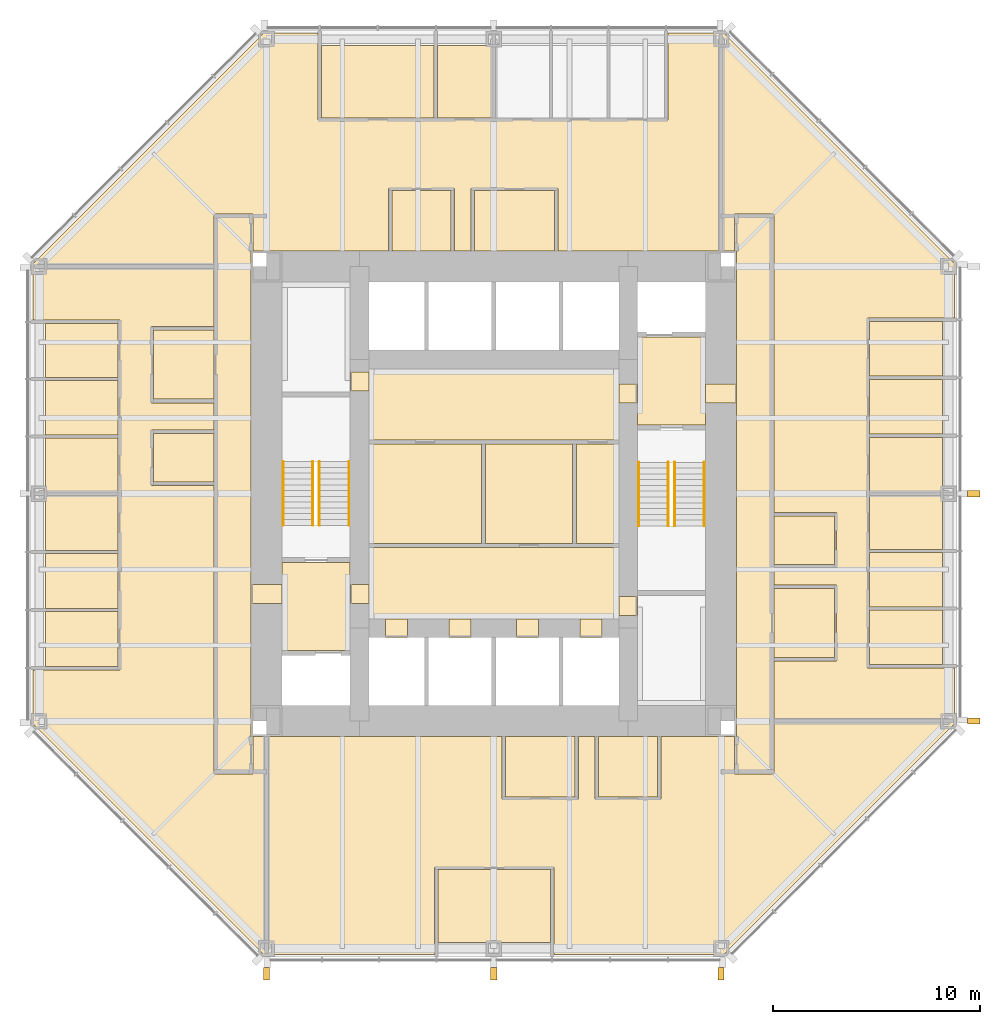
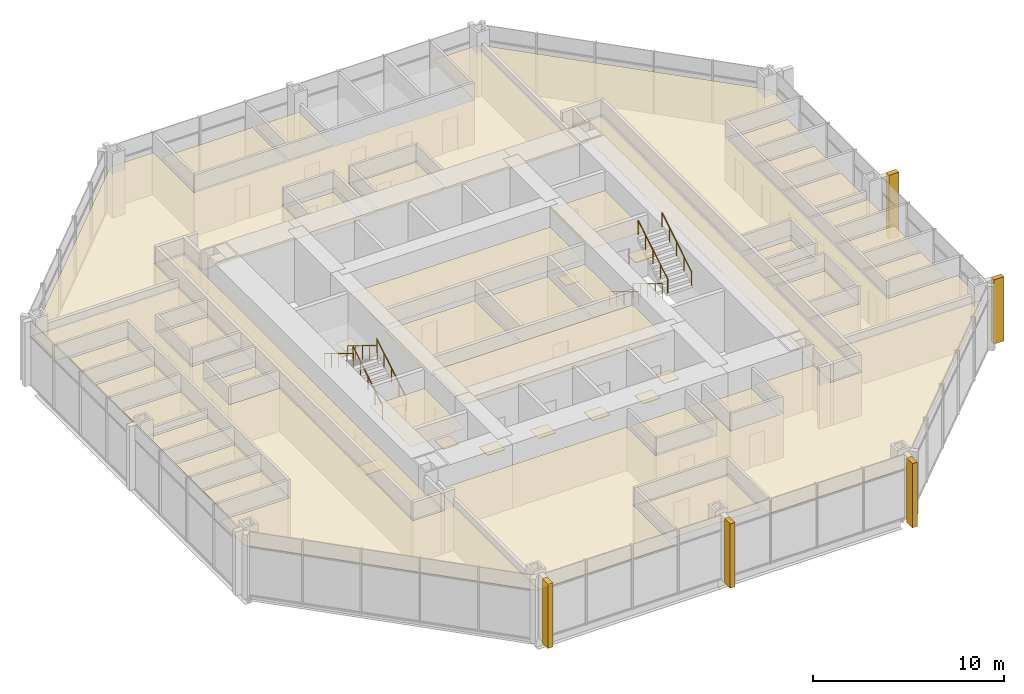
# One storey, part 13 of 14: 51 coverings, 8 railings.
"""IFC4 building model written with IfcOpenShell, lengths in metres."""

from ifc_helpers import new_model, si_unit, direction, frame, origin, origin_2d, place, context, subcontext, project, spatial, polyline, rectangle, circle, outline, extrude, material, layer, layer_set, type_object, element, save


model = new_model("IFC4")

# Units and contexts
model_context = context("Model", 3, precision=1e-05, world=origin(), true_north=direction((0.0, 1.0)))
body_context = subcontext(model_context, "Body", "Model", "MODEL_VIEW")
ifc_project = project(units=[si_unit("LENGTHUNIT", "METRE"), si_unit("AREAUNIT", "SQUARE_METRE"), si_unit("VOLUMEUNIT", "CUBIC_METRE"), si_unit("PLANEANGLEUNIT", "RADIAN"), si_unit("MASSUNIT", "GRAM", prefix="KILO")], contexts=[model_context])

# Site, building, storey
site_placement = place(None, origin())
site = spatial("IfcSite", under=ifc_project, at=site_placement, CompositionType="ELEMENT")
building_placement = place(site_placement, origin())
building = spatial("IfcBuilding", under=site, at=building_placement, Name="Trevanion Tower", CompositionType="ELEMENT")
storey_placement = place(building_placement, frame((0.0, 0.0, 100.800048828125)))
storey = spatial("IfcBuildingStorey", under=building, at=storey_placement, Name="L23", CompositionType="ELEMENT", Elevation=100.800048828125)

# Coverings
ifc_material_1 = material(Name="Fibrous plaster coffers on suspended steel grid", Category="steel")
ifc_layer_1 = layer(ifc_material_1, 0.050048828125)
ifc_layer_set_1 = layer_set([ifc_layer_1], Name="CL1 coffered fibrous plaster ceiling 50")
covering_type_1 = type_object("IfcCoveringType", Name="CL1 coffered fibrous plaster ceiling 50", PredefinedType="CEILING", material=ifc_layer_set_1)
covering_1_placement = place(storey_placement, frame((0.0, 0.0, 3.0)))
element("IfcCovering", 1, at=covering_1_placement, inside=storey, type_object=covering_type_1, Name="CL1 L23-LBS", PredefinedType="CEILING", context=body_context, shape_type="SweptSolid", body=[
    extrude(outline(polyline([(6.050048828125, -6.050048828125), (6.050048828125, -2.60009765625), (-6.050048828125, -2.60009765625), (-6.050048828125, -6.050048828125), (6.050048828125, -6.050048828125)])), origin(), (0.0, 0.0, 1.0), 0.050048828125),
])
ifc_material_2 = material(Name="Mineral fibre acoustic tiles in exposed grid", Category="mineral fibre")
ifc_layer_2 = layer(ifc_material_2, 0.02001953125)
ifc_layer_set_2 = layer_set([ifc_layer_2], Name="CL2 acoustic tile ceiling 20")
covering_type_2 = type_object("IfcCoveringType", Name="CL2 acoustic tile ceiling 20", PredefinedType="CEILING", material=ifc_layer_set_2)
covering_2_placement = place(storey_placement, frame((0.0, 0.0, 2.75)))
element("IfcCovering", 2, at=covering_2_placement, inside=storey, type_object=covering_type_2, Name="CL2 L23-LBN", PredefinedType="CEILING", context=body_context, shape_type="SweptSolid", body=[
    extrude(outline(polyline([(6.050048828125, 2.60009765625), (6.050048828125, 6.050048828125), (-6.050048828125, 6.050048828125), (-6.050048828125, 2.60009765625), (6.050048828125, 2.60009765625)])), origin(), (0.0, 0.0, 1.0), 0.02001953125),
])
covering_3_placement = place(storey_placement, frame((0.0, 0.0, 2.75)))
element("IfcCovering", 3, at=covering_3_placement, inside=storey, type_object=covering_type_2, Name="CL2 L23-CO1", PredefinedType="CEILING", context=body_context, shape_type="SweptSolid", body=[
    extrude(outline(polyline([(-11.75, 13.449951171875), (-11.75, -13.449951171875), (-13.449951171875, -13.449951171875), (-13.449951171875, 13.449951171875), (-11.75, 13.449951171875)])), origin(), (0.0, 0.0, 1.0), 0.02001953125),
])
covering_4_placement = place(storey_placement, frame((0.0, 0.0, 2.75)))
element("IfcCovering", 4, at=covering_4_placement, inside=storey, type_object=covering_type_2, Name="CL2 L23-CO2", PredefinedType="CEILING", context=body_context, shape_type="SweptSolid", body=[
    extrude(outline(polyline([(11.75, 13.449951171875), (13.449951171875, 13.449951171875), (13.449951171875, -13.449951171875), (11.75, -13.449951171875), (11.75, 13.449951171875)])), origin(), (0.0, 0.0, 1.0), 0.02001953125),
])
covering_5_placement = place(storey_placement, frame((0.0, 0.0, 2.75)))
element("IfcCovering", 5, at=covering_5_placement, inside=storey, type_object=covering_type_2, Name="CL2 L23-OF", PredefinedType="CEILING", context=body_context, shape_type="SweptSolid", body=[
    extrude(outline(polyline([(18.175048828125, -8.248046875), (18.175048828125, -5.6240234375), (21.699951171875, -5.6240234375), (21.699951171875, -8.248046875), (18.175048828125, -8.248046875)])), origin(), (0.0, 0.0, 1.0), 0.02001953125),
])
covering_6_placement = place(storey_placement, frame((0.0, 0.0, 2.75)))
element("IfcCovering", 6, at=covering_6_placement, inside=storey, type_object=covering_type_2, Name="CL2 L23-OF2", PredefinedType="CEILING", context=body_context, shape_type="SweptSolid", body=[
    extrude(outline(polyline([(18.175048828125, -5.47412109375), (18.175048828125, -2.85009765625), (21.699951171875, -2.85009765625), (21.699951171875, -5.47412109375), (18.175048828125, -5.47412109375)])), origin(), (0.0, 0.0, 1.0), 0.02001953125),
])
covering_7_placement = place(storey_placement, frame((0.0, 0.0, 2.75)))
element("IfcCovering", 7, at=covering_7_placement, inside=storey, type_object=covering_type_2, Name="CL2 L23-OF3", PredefinedType="CEILING", context=body_context, shape_type="SweptSolid", body=[
    extrude(outline(polyline([(18.175048828125, -2.699951171875), (18.175048828125, -0.074951171875), (21.699951171875, -0.074951171875), (21.699951171875, -2.699951171875), (18.175048828125, -2.699951171875)])), origin(), (0.0, 0.0, 1.0), 0.02001953125),
])
covering_8_placement = place(storey_placement, frame((0.0, 0.0, 2.75)))
element("IfcCovering", 8, at=covering_8_placement, inside=storey, type_object=covering_type_2, Name="CL2 L23-OF4", PredefinedType="CEILING", context=body_context, shape_type="SweptSolid", body=[
    extrude(outline(polyline([(18.175048828125, 0.074951171875), (18.175048828125, 2.73193359375), (21.699951171875, 2.73193359375), (21.699951171875, 0.074951171875), (18.175048828125, 0.074951171875)])), origin(), (0.0, 0.0, 1.0), 0.02001953125),
])
covering_9_placement = place(storey_placement, frame((0.0, 0.0, 2.75)))
element("IfcCovering", 9, at=covering_9_placement, inside=storey, type_object=covering_type_2, Name="CL2 L23-OF5", PredefinedType="CEILING", context=body_context, shape_type="SweptSolid", body=[
    extrude(outline(polyline([(18.175048828125, 2.882080078125), (18.175048828125, 5.5390625), (21.699951171875, 5.5390625), (21.699951171875, 2.882080078125), (18.175048828125, 2.882080078125)])), origin(), (0.0, 0.0, 1.0), 0.02001953125),
])
covering_10_placement = place(storey_placement, frame((0.0, 0.0, 2.75)))
element("IfcCovering", 10, at=covering_10_placement, inside=storey, type_object=covering_type_2, Name="CL2 L23-OF6", PredefinedType="CEILING", context=body_context, shape_type="SweptSolid", body=[
    extrude(outline(polyline([(18.175048828125, 5.68896484375), (18.175048828125, 8.345947265625), (21.699951171875, 8.345947265625), (21.699951171875, 5.68896484375), (18.175048828125, 5.68896484375)])), origin(), (0.0, 0.0, 1.0), 0.02001953125),
])
covering_11_placement = place(storey_placement, frame((0.0, 0.0, 2.75)))
element("IfcCovering", 11, at=covering_11_placement, inside=storey, type_object=covering_type_2, Name="CL2 L23-OF10", PredefinedType="CEILING", context=body_context, shape_type="SweptSolid", body=[
    extrude(outline(polyline([(-0.074951171875, 18.175048828125), (-2.73193359375, 18.175048828125), (-2.73193359375, 21.699951171875), (-0.074951171875, 21.699951171875), (-0.074951171875, 18.175048828125)])), origin(), (0.0, 0.0, 1.0), 0.02001953125),
])
covering_12_placement = place(storey_placement, frame((0.0, 0.0, 2.75)))
element("IfcCovering", 12, at=covering_12_placement, inside=storey, type_object=covering_type_2, Name="CL2 L23-MR", PredefinedType="CEILING", context=body_context, shape_type="SweptSolid", body=[
    extrude(outline(polyline([(-2.882080078125, 18.175048828125), (-8.345947265625, 18.175048828125), (-8.345947265625, 21.699951171875), (-2.882080078125, 21.699951171875), (-2.882080078125, 18.175048828125)])), origin(), (0.0, 0.0, 1.0), 0.02001953125),
])
covering_13_placement = place(storey_placement, frame((0.0, 0.0, 2.75)))
element("IfcCovering", 13, at=covering_13_placement, inside=storey, type_object=covering_type_2, Name="CL2 L23-OF11", PredefinedType="CEILING", context=body_context, shape_type="SweptSolid", body=[
    extrude(outline(polyline([(-18.175048828125, 8.248046875), (-18.175048828125, 5.6240234375), (-21.699951171875, 5.6240234375), (-21.699951171875, 8.248046875), (-18.175048828125, 8.248046875)])), origin(), (0.0, 0.0, 1.0), 0.02001953125),
])
covering_14_placement = place(storey_placement, frame((0.0, 0.0, 2.75)))
element("IfcCovering", 14, at=covering_14_placement, inside=storey, type_object=covering_type_2, Name="CL2 L23-OF12", PredefinedType="CEILING", context=body_context, shape_type="SweptSolid", body=[
    extrude(outline(polyline([(-18.175048828125, 5.47412109375), (-18.175048828125, 2.85009765625), (-21.699951171875, 2.85009765625), (-21.699951171875, 5.47412109375), (-18.175048828125, 5.47412109375)])), origin(), (0.0, 0.0, 1.0), 0.02001953125),
])
covering_15_placement = place(storey_placement, frame((0.0, 0.0, 2.75)))
element("IfcCovering", 15, at=covering_15_placement, inside=storey, type_object=covering_type_2, Name="CL2 L23-OF13", PredefinedType="CEILING", context=body_context, shape_type="SweptSolid", body=[
    extrude(outline(polyline([(-18.175048828125, 2.699951171875), (-18.175048828125, 0.074951171875), (-21.699951171875, 0.074951171875), (-21.699951171875, 2.699951171875), (-18.175048828125, 2.699951171875)])), origin(), (0.0, 0.0, 1.0), 0.02001953125),
])
covering_16_placement = place(storey_placement, frame((0.0, 0.0, 2.75)))
element("IfcCovering", 16, at=covering_16_placement, inside=storey, type_object=covering_type_2, Name="CL2 L23-OF14", PredefinedType="CEILING", context=body_context, shape_type="SweptSolid", body=[
    extrude(outline(polyline([(-18.175048828125, -0.074951171875), (-18.175048828125, -2.73193359375), (-21.699951171875, -2.73193359375), (-21.699951171875, -0.074951171875), (-18.175048828125, -0.074951171875)])), origin(), (0.0, 0.0, 1.0), 0.02001953125),
])
covering_17_placement = place(storey_placement, frame((0.0, 0.0, 2.75)))
element("IfcCovering", 17, at=covering_17_placement, inside=storey, type_object=covering_type_2, Name="CL2 L23-OF15", PredefinedType="CEILING", context=body_context, shape_type="SweptSolid", body=[
    extrude(outline(polyline([(-18.175048828125, -2.882080078125), (-18.175048828125, -5.5390625), (-21.699951171875, -5.5390625), (-21.699951171875, -2.882080078125), (-18.175048828125, -2.882080078125)])), origin(), (0.0, 0.0, 1.0), 0.02001953125),
])
covering_18_placement = place(storey_placement, frame((0.0, 0.0, 2.75)))
element("IfcCovering", 18, at=covering_18_placement, inside=storey, type_object=covering_type_2, Name="CL2 L23-OF16", PredefinedType="CEILING", context=body_context, shape_type="SweptSolid", body=[
    extrude(outline(polyline([(-18.175048828125, -5.68896484375), (-18.175048828125, -8.345947265625), (-21.699951171875, -8.345947265625), (-21.699951171875, -5.68896484375), (-18.175048828125, -5.68896484375)])), origin(), (0.0, 0.0, 1.0), 0.02001953125),
])
covering_19_placement = place(storey_placement, frame((0.0, 0.0, 2.75)))
element("IfcCovering", 19, at=covering_19_placement, inside=storey, type_object=covering_type_2, Name="CL2 L23-MR2", PredefinedType="CEILING", context=body_context, shape_type="SweptSolid", body=[
    extrude(outline(polyline([(-2.699951171875, -18.175048828125), (2.73193359375, -18.175048828125), (2.73193359375, -21.699951171875), (-2.699951171875, -21.699951171875), (-2.699951171875, -18.175048828125)])), origin(), (0.0, 0.0, 1.0), 0.02001953125),
])
covering_20_placement = place(storey_placement, frame((0.0, 0.0, 2.75)))
element("IfcCovering", 20, at=covering_20_placement, inside=storey, type_object=covering_type_2, Name="CL2 L23-RC", PredefinedType="CEILING", context=body_context, shape_type="SweptSolid", body=[
    extrude(outline(polyline([(13.550048828125, -7.925048828125), (13.550048828125, -4.574951171875), (16.47509765625, -4.574951171875), (16.47509765625, -7.925048828125), (13.550048828125, -7.925048828125)])), origin(), (0.0, 0.0, 1.0), 0.02001953125),
])
covering_21_placement = place(storey_placement, frame((0.0, 0.0, 2.75)))
element("IfcCovering", 21, at=covering_21_placement, inside=storey, type_object=covering_type_2, Name="CL2 L23-RC2", PredefinedType="CEILING", context=body_context, shape_type="SweptSolid", body=[
    extrude(outline(polyline([(-0.925048828125, 14.675048828125), (2.925048828125, 14.675048828125), (2.925048828125, 11.75), (-0.925048828125, 11.75), (-0.925048828125, 14.675048828125)])), origin(), (0.0, 0.0, 1.0), 0.02001953125),
])
covering_22_placement = place(storey_placement, frame((0.0, 0.0, 2.75)))
element("IfcCovering", 22, at=covering_22_placement, inside=storey, type_object=covering_type_2, Name="CL2 L23-RC3", PredefinedType="CEILING", context=body_context, shape_type="SweptSolid", body=[
    extrude(outline(polyline([(-13.550048828125, 7.925048828125), (-13.550048828125, 4.574951171875), (-16.47509765625, 4.574951171875), (-16.47509765625, 7.925048828125), (-13.550048828125, 7.925048828125)])), origin(), (0.0, 0.0, 1.0), 0.02001953125),
])
covering_23_placement = place(storey_placement, frame((0.0, 0.0, 2.75)))
element("IfcCovering", 23, at=covering_23_placement, inside=storey, type_object=covering_type_2, Name="CL2 L23-RC4", PredefinedType="CEILING", context=body_context, shape_type="SweptSolid", body=[
    extrude(outline(polyline([(3.925048828125, -14.675048828125), (0.574951171875, -14.675048828125), (0.574951171875, -11.75), (3.925048828125, -11.75), (3.925048828125, -14.675048828125)])), origin(), (0.0, 0.0, 1.0), 0.02001953125),
])
covering_24_placement = place(storey_placement, frame((0.0, 0.0, 2.75)))
element("IfcCovering", 24, at=covering_24_placement, inside=storey, type_object=covering_type_2, Name="CL2 L23-OP", PredefinedType="CEILING", context=body_context, shape_type="SweptSolid", body=[
    extrude(outline(polyline([(13.550048828125, -8.094970703125), (16.570068359375, -8.094970703125), (16.570068359375, -4.405029296875), (13.550048828125, -4.405029296875), (13.550048828125, -3.594970703125), (16.570068359375, -3.594970703125), (16.570068359375, -0.905029296875), (13.550048828125, -0.905029296875), (13.550048828125, 13.550048828125), (11.64990234375, 13.550048828125), (11.64990234375, 11.75), (11.0, 11.75), (11.0, 22.300048828125), (11.124267578125, 22.300048828125), (22.300048828125, 11.124267578125), (22.300048828125, 8.51611328125), (18.080078125, 8.51611328125), (18.080078125, -8.41796875), (22.300048828125, -8.41796875), (22.300048828125, -11.0), (13.550048828125, -11.0), (13.550048828125, -8.094970703125)])), origin(), (0.0, 0.0, 1.0), 0.02001953125),
])
covering_25_placement = place(storey_placement, frame((0.0, 0.0, 2.75)))
element("IfcCovering", 25, at=covering_25_placement, inside=storey, type_object=covering_type_2, Name="CL2 L23-OP2", PredefinedType="CEILING", context=body_context, shape_type="SweptSolid", body=[
    extrude(outline(polyline([(3.094970703125, 11.75), (3.094970703125, 14.77001953125), (-1.094970703125, 14.77001953125), (-1.094970703125, 11.75), (-1.905029296875, 11.75), (-1.905029296875, 14.77001953125), (-5.094970703125, 14.77001953125), (-5.094970703125, 11.75), (-11.64990234375, 11.75), (-11.64990234375, 13.550048828125), (-13.550048828125, 13.550048828125), (-13.550048828125, 11.0), (-22.300048828125, 11.0), (-22.300048828125, 11.124267578125), (-11.124267578125, 22.300048828125), (-8.51611328125, 22.300048828125), (-8.51611328125, 18.080078125), (8.41796875, 18.080078125), (8.41796875, 22.300048828125), (11.0, 22.300048828125), (11.0, 11.75), (3.094970703125, 11.75)])), origin(), (0.0, 0.0, 1.0), 0.02001953125),
])
covering_26_placement = place(storey_placement, frame((0.0, 0.0, 2.75)))
element("IfcCovering", 26, at=covering_26_placement, inside=storey, type_object=covering_type_2, Name="CL2 L23-OP3", PredefinedType="CEILING", context=body_context, shape_type="SweptSolid", body=[
    extrude(outline(polyline([(-13.550048828125, 8.094970703125), (-16.570068359375, 8.094970703125), (-16.570068359375, 4.405029296875), (-13.550048828125, 4.405029296875), (-13.550048828125, 3.094970703125), (-16.570068359375, 3.094970703125), (-16.570068359375, 0.405029296875), (-13.550048828125, 0.405029296875), (-13.550048828125, -13.550048828125), (-11.64990234375, -13.550048828125), (-11.64990234375, -11.75), (-11.0, -11.75), (-11.0, -22.300048828125), (-11.124267578125, -22.300048828125), (-22.300048828125, -11.124267578125), (-22.300048828125, -8.51611328125), (-18.080078125, -8.51611328125), (-18.080078125, 8.41796875), (-22.300048828125, 8.41796875), (-22.300048828125, 11.0), (-13.550048828125, 11.0), (-13.550048828125, 8.094970703125)])), origin(), (0.0, 0.0, 1.0), 0.02001953125),
])
covering_27_placement = place(storey_placement, frame((0.0, 0.0, 2.75)))
element("IfcCovering", 27, at=covering_27_placement, inside=storey, type_object=covering_type_2, Name="CL2 L23-OP4", PredefinedType="CEILING", context=body_context, shape_type="SweptSolid", body=[
    extrude(outline(polyline([(0.405029296875, -11.75), (0.405029296875, -14.77001953125), (4.094970703125, -14.77001953125), (4.094970703125, -11.75), (4.905029296875, -11.75), (4.905029296875, -14.77001953125), (8.094970703125, -14.77001953125), (8.094970703125, -11.75), (11.64990234375, -11.75), (11.64990234375, -13.550048828125), (13.550048828125, -13.550048828125), (13.550048828125, -11.0), (22.300048828125, -11.0), (22.300048828125, -11.124267578125), (11.124267578125, -22.300048828125), (2.902099609375, -22.300048828125), (2.902099609375, -18.080078125), (-2.8701171875, -18.080078125), (-2.8701171875, -22.300048828125), (-11.0, -22.300048828125), (-11.0, -11.75), (0.405029296875, -11.75)])), origin(), (0.0, 0.0, 1.0), 0.02001953125),
])
ifc_material_3 = material(Name="Gypsum plasterboard on suspended metal furring", Category="gypsum")
ifc_layer_3 = layer(ifc_material_3, 0.012939453125)
ifc_layer_set_3 = layer_set([ifc_layer_3], Name="CL3 plasterboard ceiling 13")
covering_type_3 = type_object("IfcCoveringType", Name="CL3 plasterboard ceiling 13", PredefinedType="CEILING", material=ifc_layer_set_3)
covering_28_placement = place(storey_placement, frame((0.0, 0.0, 2.699951171875)))
element("IfcCovering", 28, at=covering_28_placement, inside=storey, type_object=covering_type_3, Name="CL3 L23-FV1", PredefinedType="CEILING", context=body_context, shape_type="SweptSolid", body=[
    extrude(outline(polyline([(10.25, 3.324951171875), (10.25, 7.574951171875), (6.949951171875, 7.574951171875), (6.949951171875, 3.324951171875), (10.25, 3.324951171875)])), origin(), (0.0, 0.0, 1.0), 0.012939453125),
])
covering_29_placement = place(storey_placement, frame((0.0, 0.0, 2.699951171875)))
element("IfcCovering", 29, at=covering_29_placement, inside=storey, type_object=covering_type_3, Name="CL3 L23-FV2", PredefinedType="CEILING", context=body_context, shape_type="SweptSolid", body=[
    extrude(outline(polyline([(-10.25, -3.324951171875), (-10.25, -7.574951171875), (-6.949951171875, -7.574951171875), (-6.949951171875, -3.324951171875), (-10.25, -3.324951171875)])), origin(), (0.0, 0.0, 1.0), 0.012939453125),
])
ifc_material_4 = material(Name="Moisture-resistant gypsum board on suspended metal furring", Category="gypsum")
ifc_layer_4 = layer(ifc_material_4, 0.01611328125)
ifc_layer_set_4 = layer_set([ifc_layer_4], Name="CL4 moisture-resistant board ceiling 16")
covering_type_4 = type_object("IfcCoveringType", Name="CL4 moisture-resistant board ceiling 16", PredefinedType="CEILING", material=ifc_layer_set_4)
covering_30_placement = place(storey_placement, frame((0.0, 0.0, 2.599853515625)))
element("IfcCovering", 30, at=covering_30_placement, inside=storey, type_object=covering_type_4, Name="CL4 L23-WCM", PredefinedType="CEILING", context=body_context, shape_type="SweptSolid", body=[
    extrude(outline(polyline([(-0.60009765625, -2.39990234375), (-0.60009765625, 2.39990234375), (-6.050048828125, 2.39990234375), (-6.050048828125, -2.39990234375), (-0.60009765625, -2.39990234375)])), origin(), (0.0, 0.0, 1.0), 0.01611328125),
])
covering_31_placement = place(storey_placement, frame((0.0, 0.0, 2.599853515625)))
element("IfcCovering", 31, at=covering_31_placement, inside=storey, type_object=covering_type_4, Name="CL4 L23-WCF", PredefinedType="CEILING", context=body_context, shape_type="SweptSolid", body=[
    extrude(outline(polyline([(3.800048828125, -2.39990234375), (3.800048828125, 2.39990234375), (-0.39990234375, 2.39990234375), (-0.39990234375, -2.39990234375), (3.800048828125, -2.39990234375)])), origin(), (0.0, 0.0, 1.0), 0.01611328125),
])
covering_32_placement = place(storey_placement, frame((0.0, 0.0, 2.599853515625)))
element("IfcCovering", 32, at=covering_32_placement, inside=storey, type_object=covering_type_4, Name="CL4 L23-WCA", PredefinedType="CEILING", context=body_context, shape_type="SweptSolid", body=[
    extrude(outline(polyline([(6.050048828125, -2.39990234375), (6.050048828125, 2.39990234375), (4.0, 2.39990234375), (4.0, -2.39990234375), (6.050048828125, -2.39990234375)])), origin(), (0.0, 0.0, 1.0), 0.01611328125),
])
covering_33_placement = place(storey_placement, frame((0.0, 0.0, 2.599853515625)))
element("IfcCovering", 33, at=covering_33_placement, inside=storey, type_object=covering_type_4, Name="CL4 L23-PA", PredefinedType="CEILING", context=body_context, shape_type="SweptSolid", body=[
    extrude(outline(polyline([(13.550048828125, -3.425048828125), (13.550048828125, -1.074951171875), (16.47509765625, -1.074951171875), (16.47509765625, -3.425048828125), (13.550048828125, -3.425048828125)])), origin(), (0.0, 0.0, 1.0), 0.01611328125),
])
covering_34_placement = place(storey_placement, frame((0.0, 0.0, 2.599853515625)))
element("IfcCovering", 34, at=covering_34_placement, inside=storey, type_object=covering_type_4, Name="CL4 L23-PA2", PredefinedType="CEILING", context=body_context, shape_type="SweptSolid", body=[
    extrude(outline(polyline([(-4.925048828125, 14.675048828125), (-2.074951171875, 14.675048828125), (-2.074951171875, 11.75), (-4.925048828125, 11.75), (-4.925048828125, 14.675048828125)])), origin(), (0.0, 0.0, 1.0), 0.01611328125),
])
covering_35_placement = place(storey_placement, frame((0.0, 0.0, 2.599853515625)))
element("IfcCovering", 35, at=covering_35_placement, inside=storey, type_object=covering_type_4, Name="CL4 L23-PA3", PredefinedType="CEILING", context=body_context, shape_type="SweptSolid", body=[
    extrude(outline(polyline([(-13.550048828125, 2.925048828125), (-13.550048828125, 0.574951171875), (-16.47509765625, 0.574951171875), (-16.47509765625, 2.925048828125), (-13.550048828125, 2.925048828125)])), origin(), (0.0, 0.0, 1.0), 0.01611328125),
])
covering_36_placement = place(storey_placement, frame((0.0, 0.0, 2.599853515625)))
element("IfcCovering", 36, at=covering_36_placement, inside=storey, type_object=covering_type_4, Name="CL4 L23-PA4", PredefinedType="CEILING", context=body_context, shape_type="SweptSolid", body=[
    extrude(outline(polyline([(7.925048828125, -14.675048828125), (5.074951171875, -14.675048828125), (5.074951171875, -11.75), (7.925048828125, -11.75), (7.925048828125, -14.675048828125)])), origin(), (0.0, 0.0, 1.0), 0.01611328125),
])
ifc_material_5 = material(Name="Cast bronze fin on aluminium carrier", Category="aluminium")
covering_type_5 = type_object("IfcCoveringType", Name="F1 bronze fin", PredefinedType="CLADDING", material=ifc_material_5)
for number, where, z_axis, x_axis, name in (
    (37, (23.22509765625, -11.0, -0.190185546875), (0.0, 0.0, 1.0), (0.0, 1.0, 0.0), "F1 L23 east -11.0"),
    (38, (23.22509765625, 0.0, -0.190185546875), (0.0, 0.0, 1.0), (0.0, 1.0, 0.0), "F1 L23 east +0.0"),
    (39, (-11.0, -23.22509765625, -0.190185546875), (0.0, 0.0, 1.0), (1.0, 0.0, 0.0), "F1 L23 south -11.0"),
    (40, (0.0, -23.22509765625, -0.190185546875), (0.0, 0.0, 1.0), (1.0, 0.0, 0.0), "F1 L23 south +0.0"),
    (41, (11.0, -23.22509765625, -0.190185546875), (0.0, 0.0, 1.0), (1.0, 0.0, 0.0), "F1 L23 south +11.0"),
):
    element("IfcCovering", number, at=place(storey_placement, frame(where, z_axis=z_axis, x_axis=x_axis)), inside=storey, type_object=covering_type_5, Name=name, PredefinedType="CLADDING", context=body_context, shape_type="SweptSolid", body=[
        extrude(rectangle(XDim=0.300048828125, YDim=0.60009765625, at=origin_2d()), origin(), (0.0, 0.0, 1.0), 4.10009765625),
    ])
ifc_material_6 = material(Name="Terrazzo, brass divider strips", Category="stone")
ifc_layer_5 = layer(ifc_material_6, 0.02001953125)
ifc_layer_set_5 = layer_set([ifc_layer_5], Name="FF1 terrazzo flooring")
covering_type_6 = type_object("IfcCoveringType", Name="FF1 terrazzo flooring", PredefinedType="FLOORING", material=ifc_layer_set_5)
covering_37_placement = place(storey_placement, origin())
element("IfcCovering", 42, at=covering_37_placement, inside=storey, type_object=covering_type_6, Name="FF1 threshold 23-001", PredefinedType="FLOORING", context=body_context, shape_type="SweptSolid", body=[
    extrude(outline(polyline([(11.75, 4.392578125), (11.75, 5.3076171875), (10.25, 5.3076171875), (10.25, 4.392578125), (11.75, 4.392578125)])), origin(), (0.0, 0.0, 1.0), 0.02001953125),
])
covering_38_placement = place(storey_placement, origin())
element("IfcCovering", 43, at=covering_38_placement, inside=storey, type_object=covering_type_6, Name="FF1 threshold 23-002", PredefinedType="FLOORING", context=body_context, shape_type="SweptSolid", body=[
    extrude(outline(polyline([(-11.75, -4.392578125), (-11.75, -5.3076171875), (-10.25, -5.3076171875), (-10.25, -4.392578125), (-11.75, -4.392578125)])), origin(), (0.0, 0.0, 1.0), 0.02001953125),
])
covering_39_placement = place(storey_placement, origin())
element("IfcCovering", 44, at=covering_39_placement, inside=storey, type_object=covering_type_6, Name="FF1 threshold 23-003", PredefinedType="FLOORING", context=body_context, shape_type="SweptSolid", body=[
    extrude(outline(polyline([(6.949951171875, 4.392578125), (6.949951171875, 5.3076171875), (6.050048828125, 5.3076171875), (6.050048828125, 4.392578125), (6.949951171875, 4.392578125)])), origin(), (0.0, 0.0, 1.0), 0.02001953125),
])
covering_40_placement = place(storey_placement, origin())
element("IfcCovering", 45, at=covering_40_placement, inside=storey, type_object=covering_type_6, Name="FF1 threshold 23-004", PredefinedType="FLOORING", context=body_context, shape_type="SweptSolid", body=[
    extrude(outline(polyline([(-6.949951171875, -4.392578125), (-6.949951171875, -5.3076171875), (-6.050048828125, -5.3076171875), (-6.050048828125, -4.392578125), (-6.949951171875, -4.392578125)])), origin(), (0.0, 0.0, 1.0), 0.02001953125),
])
covering_41_placement = place(storey_placement, origin())
element("IfcCovering", 46, at=covering_41_placement, inside=storey, type_object=covering_type_6, Name="FF1 threshold 23-009", PredefinedType="FLOORING", context=body_context, shape_type="SweptSolid", body=[
    extrude(outline(polyline([(6.949951171875, -5.889892578125), (6.949951171875, -4.97509765625), (6.050048828125, -4.97509765625), (6.050048828125, -5.889892578125), (6.949951171875, -5.889892578125)])), origin(), (0.0, 0.0, 1.0), 0.02001953125),
])
covering_42_placement = place(storey_placement, origin())
element("IfcCovering", 47, at=covering_42_placement, inside=storey, type_object=covering_type_6, Name="FF1 threshold 23-010", PredefinedType="FLOORING", context=body_context, shape_type="SweptSolid", body=[
    extrude(outline(polyline([(-6.949951171875, 5.889892578125), (-6.949951171875, 4.97509765625), (-6.050048828125, 4.97509765625), (-6.050048828125, 5.889892578125), (-6.949951171875, 5.889892578125)])), origin(), (0.0, 0.0, 1.0), 0.02001953125),
])
covering_43_placement = place(storey_placement, origin())
element("IfcCovering", 48, at=covering_43_placement, inside=storey, type_object=covering_type_6, Name="FF1 threshold 23-011", PredefinedType="FLOORING", context=body_context, shape_type="SweptSolid", body=[
    extrude(outline(polyline([(-5.2333984375, -6.949951171875), (-4.16650390625, -6.949951171875), (-4.16650390625, -6.050048828125), (-5.2333984375, -6.050048828125), (-5.2333984375, -6.949951171875)])), origin(), (0.0, 0.0, 1.0), 0.02001953125),
])
covering_44_placement = place(storey_placement, origin())
element("IfcCovering", 49, at=covering_44_placement, inside=storey, type_object=covering_type_6, Name="FF1 threshold 23-012", PredefinedType="FLOORING", context=body_context, shape_type="SweptSolid", body=[
    extrude(outline(polyline([(-2.158447265625, -6.949951171875), (-1.091552734375, -6.949951171875), (-1.091552734375, -6.050048828125), (-2.158447265625, -6.050048828125), (-2.158447265625, -6.949951171875)])), origin(), (0.0, 0.0, 1.0), 0.02001953125),
])
covering_45_placement = place(storey_placement, origin())
element("IfcCovering", 50, at=covering_45_placement, inside=storey, type_object=covering_type_6, Name="FF1 threshold 23-013", PredefinedType="FLOORING", context=body_context, shape_type="SweptSolid", body=[
    extrude(outline(polyline([(1.091552734375, -6.949951171875), (2.158447265625, -6.949951171875), (2.158447265625, -6.050048828125), (1.091552734375, -6.050048828125), (1.091552734375, -6.949951171875)])), origin(), (0.0, 0.0, 1.0), 0.02001953125),
])
covering_46_placement = place(storey_placement, origin())
element("IfcCovering", 51, at=covering_46_placement, inside=storey, type_object=covering_type_6, Name="FF1 threshold 23-014", PredefinedType="FLOORING", context=body_context, shape_type="SweptSolid", body=[
    extrude(outline(polyline([(4.16650390625, -6.949951171875), (5.2333984375, -6.949951171875), (5.2333984375, -6.050048828125), (4.16650390625, -6.050048828125), (4.16650390625, -6.949951171875)])), origin(), (0.0, 0.0, 1.0), 0.02001953125),
])

# Railings
ifc_material_7 = material(Name="Stainless steel tube 40 mm", Category="steel")
railing_type = type_object("IfcRailingType", Name="HR1 handrail", PredefinedType="HANDRAIL", material=ifc_material_7)
for number, where, name in (
    (52, (7.010009765625, 1.52490234375, 0.170654296875), "HR1 ST1 L23 flight 1"),
    (53, (8.43994140625, 1.52490234375, 0.170654296875), "HR1 ST1 L23 flight 1"),
):
    element("IfcRailing", number, at=place(storey_placement, frame(where)), inside=storey, type_object=railing_type, Name=name, PredefinedType="HANDRAIL", context=body_context, shape_type="SweptSolid", body=[
        extrude(circle(Radius=0.02001953125, at=origin_2d()), frame((0.0, 0.0, 0.8798828125), z_axis=(0.0, -0.853617861917, 0.520899746416), x_axis=(1.0, 0.0, 0.0)), (0.0, 0.0, 1.0), 3.60791015625),
        extrude(circle(Radius=0.01513671875, at=origin_2d()), origin(), (0.0, 0.0, 1.0), 0.85986328125),
        extrude(circle(Radius=0.01513671875, at=origin_2d()), frame((0.0, -0.77001953125, 0.4697265625)), (0.0, 0.0, 1.0), 0.85986328125),
        extrude(circle(Radius=0.01513671875, at=origin_2d()), frame((0.0, -1.5400390625, 0.939697265625)), (0.0, 0.0, 1.0), 0.85986328125),
        extrude(circle(Radius=0.01513671875, at=origin_2d()), frame((0.0, -2.309814453125, 1.40966796875)), (0.0, 0.0, 1.0), 0.85986328125),
        extrude(circle(Radius=0.01513671875, at=origin_2d()), frame((0.0, -3.079833984375, 1.87939453125)), (0.0, 0.0, 1.0), 0.85986328125),
    ])
for number, where, name in (
    (54, (8.760009765625, -1.554931640625, 2.220703125), "HR1 ST1 L23 flight 2"),
    (55, (10.18994140625, -1.554931640625, 2.220703125), "HR1 ST1 L23 flight 2"),
):
    element("IfcRailing", number, at=place(storey_placement, frame(where)), inside=storey, type_object=railing_type, Name=name, PredefinedType="HANDRAIL", context=body_context, shape_type="SweptSolid", body=[
        extrude(circle(Radius=0.02001953125, at=origin_2d()), frame((0.0, 0.0, 0.8798828125), z_axis=(0.0, 0.853647949592, 0.520850437417), x_axis=(-1.0, 0.0, 0.0)), (0.0, 0.0, 1.0), 3.60791015625),
        extrude(circle(Radius=0.01513671875, at=origin_2d()), origin(), (0.0, 0.0, 1.0), 0.85986328125),
        extrude(circle(Radius=0.01513671875, at=origin_2d()), frame((0.0, 0.77001953125, 0.4697265625)), (0.0, 0.0, 1.0), 0.85986328125),
        extrude(circle(Radius=0.01513671875, at=origin_2d()), frame((0.0, 1.5400390625, 0.939453125)), (0.0, 0.0, 1.0), 0.85986328125),
        extrude(circle(Radius=0.01513671875, at=origin_2d()), frame((0.0, 2.309814453125, 1.409423828125)), (0.0, 0.0, 1.0), 0.85986328125),
        extrude(circle(Radius=0.01513671875, at=origin_2d()), frame((0.0, 3.079833984375, 1.879150390625)), (0.0, 0.0, 1.0), 0.85986328125),
    ])
for number, where, name in (
    (56, (-7.010009765625, -1.52490234375, 0.170654296875), "HR1 ST2 L23 flight 1"),
    (57, (-8.43994140625, -1.52490234375, 0.170654296875), "HR1 ST2 L23 flight 1"),
):
    element("IfcRailing", number, at=place(storey_placement, frame(where)), inside=storey, type_object=railing_type, Name=name, PredefinedType="HANDRAIL", context=body_context, shape_type="SweptSolid", body=[
        extrude(circle(Radius=0.02001953125, at=origin_2d()), frame((0.0, 0.0, 0.8798828125), z_axis=(0.0, 0.853617861917, 0.520899746416), x_axis=(-1.0, 0.0, 0.0)), (0.0, 0.0, 1.0), 3.60791015625),
        extrude(circle(Radius=0.01513671875, at=origin_2d()), origin(), (0.0, 0.0, 1.0), 0.85986328125),
        extrude(circle(Radius=0.01513671875, at=origin_2d()), frame((0.0, 0.77001953125, 0.4697265625)), (0.0, 0.0, 1.0), 0.85986328125),
        extrude(circle(Radius=0.01513671875, at=origin_2d()), frame((0.0, 1.5400390625, 0.939697265625)), (0.0, 0.0, 1.0), 0.85986328125),
        extrude(circle(Radius=0.01513671875, at=origin_2d()), frame((0.0, 2.309814453125, 1.40966796875)), (0.0, 0.0, 1.0), 0.85986328125),
        extrude(circle(Radius=0.01513671875, at=origin_2d()), frame((0.0, 3.079833984375, 1.87939453125)), (0.0, 0.0, 1.0), 0.85986328125),
    ])
for number, where, name in (
    (58, (-8.760009765625, 1.554931640625, 2.220703125), "HR1 ST2 L23 flight 2"),
    (59, (-10.18994140625, 1.554931640625, 2.220703125), "HR1 ST2 L23 flight 2"),
):
    element("IfcRailing", number, at=place(storey_placement, frame(where)), inside=storey, type_object=railing_type, Name=name, PredefinedType="HANDRAIL", context=body_context, shape_type="SweptSolid", body=[
        extrude(circle(Radius=0.02001953125, at=origin_2d()), frame((0.0, 0.0, 0.8798828125), z_axis=(0.0, -0.853647949592, 0.520850437417), x_axis=(1.0, 0.0, 0.0)), (0.0, 0.0, 1.0), 3.60791015625),
        extrude(circle(Radius=0.01513671875, at=origin_2d()), origin(), (0.0, 0.0, 1.0), 0.85986328125),
        extrude(circle(Radius=0.01513671875, at=origin_2d()), frame((0.0, -0.77001953125, 0.4697265625)), (0.0, 0.0, 1.0), 0.85986328125),
        extrude(circle(Radius=0.01513671875, at=origin_2d()), frame((0.0, -1.5400390625, 0.939453125)), (0.0, 0.0, 1.0), 0.85986328125),
        extrude(circle(Radius=0.01513671875, at=origin_2d()), frame((0.0, -2.309814453125, 1.409423828125)), (0.0, 0.0, 1.0), 0.85986328125),
        extrude(circle(Radius=0.01513671875, at=origin_2d()), frame((0.0, -3.079833984375, 1.879150390625)), (0.0, 0.0, 1.0), 0.85986328125),
    ])

save(model, "model.ifc")
